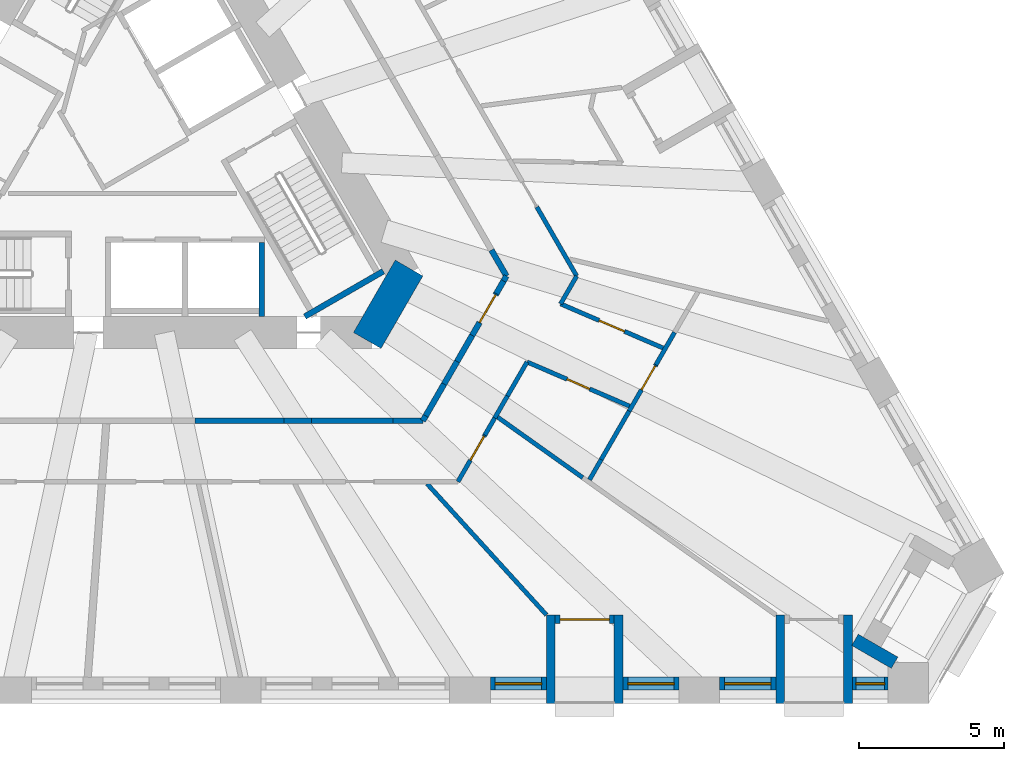
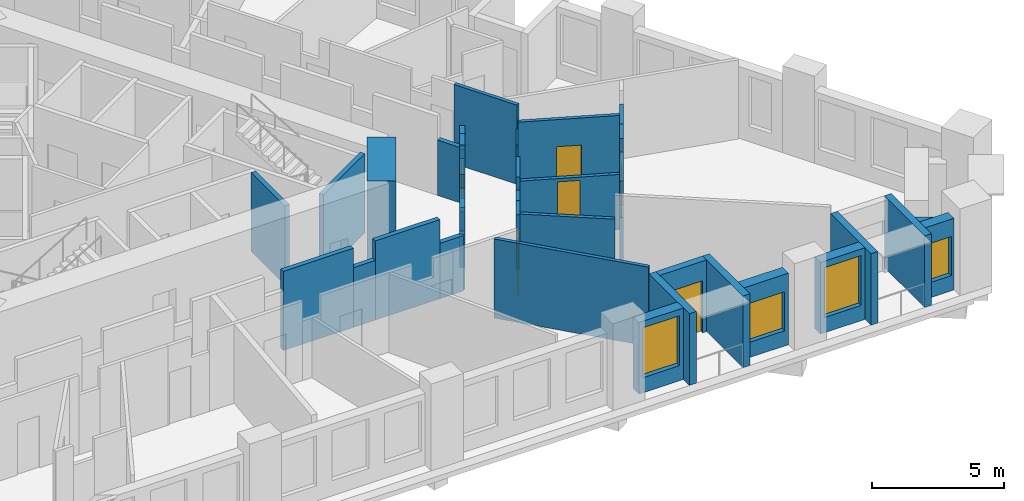
# One storey, part 6 of 14: 39 walls, 6 doors, 4 windows, 10 openings.
"""IFC4 building model written with IfcOpenShell, lengths in metres."""

from ifc_helpers import new_model, si_unit, direction, frame, frame_2d, origin, place, context, subcontext, project, spatial, polyline, rectangle, outline, extrude, material, layer, layer_set, type_object, element, fill, save


model = new_model("IFC4")

# Units and contexts
model_context = context("Model", 3, precision=1e-05, world=origin(), true_north=direction((0.0, 1.0)))
body_context = subcontext(model_context, "Body", "Model", "MODEL_VIEW")
ifc_project = project(units=[si_unit("LENGTHUNIT", "METRE"), si_unit("AREAUNIT", "SQUARE_METRE"), si_unit("VOLUMEUNIT", "CUBIC_METRE"), si_unit("PLANEANGLEUNIT", "RADIAN"), si_unit("MASSUNIT", "GRAM", prefix="KILO")], contexts=[model_context])

# Site, building, storey
site_placement = place(None, origin())
site = spatial("IfcSite", under=ifc_project, at=site_placement, CompositionType="ELEMENT")
building_placement = place(site_placement, origin())
building = spatial("IfcBuilding", under=site, at=building_placement, Name="Tramontana Tower", CompositionType="ELEMENT")
storey_placement = place(building_placement, frame((0.0, 0.0, 30.0)))
storey = spatial("IfcBuildingStorey", under=building, at=storey_placement, Name="L05", CompositionType="ELEMENT", Elevation=30.0)

# Walls
ifc_material_1 = material(Name="Concrete 70 MPa", Category="concrete")
ifc_layer_1 = layer(ifc_material_1, 1.10009765625)
ifc_layer_set_1 = layer_set([ifc_layer_1], Name="Core wall 1100 70 MPa")
wall_type_1 = type_object("IfcWallType", Name="Core wall 1100 70 MPa", PredefinedType="SHEAR", material=ifc_layer_set_1)
wall_1_placement = place(storey_placement, frame((8.328369140625, -6.47509765625, 0.0), z_axis=(0.0, 0.0, 1.0), x_axis=(0.499995765644, 0.866027848477, 0.0)))
element("IfcWall", 1, at=wall_1_placement, inside=storey, type_object=wall_type_1, Name="Core wall C4 L05", PredefinedType="SHEAR", context=body_context, shape_type="SweptSolid", body=[
    extrude(rectangle(XDim=2.88671875, YDim=1.10009765625, at=frame_2d((1.443359375, 0.0))), origin(), (0.0, 0.0, 1.0), 4.0),
])
ifc_material_2 = material(Name="Blockwork", Category="masonry")
ifc_layer_2 = layer(ifc_material_2, 0.199951171875)
ifc_layer_set_2 = layer_set([ifc_layer_2], Name="ENTRY WALL 200")
wall_type_2 = type_object("IfcWallType", Name="ENTRY WALL 200", PredefinedType="SOLIDWALL", material=ifc_layer_set_2)
wall_2_placement = place(storey_placement, frame((12.616943359375, -3.353515625, 0.0), z_axis=(0.0, 0.0, 1.0), x_axis=(0.500171514983, -0.865926356915, 0.0)))
element("IfcWall", 2, at=wall_2_placement, inside=storey, type_object=wall_type_2, Name="Wall v01-ew0-10", PredefinedType="SOLIDWALL", context=body_context, shape_type="SweptSolid", body=[
    extrude(rectangle(XDim=1.035400390625, YDim=0.199951171875, at=frame_2d((0.517578125, 0.0))), origin(), (0.0, 0.0, 1.0), 2.550048828125),
])
wall_3_placement = place(storey_placement, frame((13.134765625, -4.25, 0.0), z_axis=(0.0, 0.0, 1.0), x_axis=(-0.499865263774, -0.866103179807, 0.0)))
element("IfcWall", 3, at=wall_3_placement, inside=storey, type_object=wall_type_2, Name="Wall v01-ew1-0", PredefinedType="SOLIDWALL", context=body_context, shape_type="SweptSolid", body=[
    extrude(rectangle(XDim=0.197265625, YDim=0.199951171875, at=frame_2d((0.0986328125, 0.0))), origin(), (0.0, 0.0, 1.0), 2.550048828125),
])
wall_4_placement = place(storey_placement, frame((13.0361328125, -4.4208984375, 0.0), z_axis=(0.0, 0.0, 1.0), x_axis=(-0.499931517724, -0.866064938435, 0.0)))
element("IfcWall", 4, at=wall_4_placement, inside=storey, type_object=wall_type_2, Name="Wall v01-ew1-1", PredefinedType="SOLIDWALL", context=body_context, shape_type="SweptSolid", body=[
    extrude(rectangle(XDim=0.50537109375, YDim=0.199951171875, at=frame_2d((0.252685546875, 0.0))), origin(), (0.0, 0.0, 1.0), 3.64990234375),
])

# Wall, opening, door
wall_5_placement = place(storey_placement, frame((11.951416015625, -6.29931640625, 0.0), z_axis=(0.0, 0.0, 1.0), x_axis=(0.50011622646, 0.865958290007, 0.0)))
wall_5 = element("IfcWall", 5, at=wall_5_placement, inside=storey, type_object=wall_type_2, Name="Wall v01-ew1-2", PredefinedType="SOLIDWALL", context=body_context, shape_type="SweptSolid", body=[
    extrude(outline(polyline([(0.0, 0.0), (1.66357421875, 0.0), (1.663818359375, 3.64990234375), (0.90234375, 3.64990234375), (0.90234375, 2.550048828125), (0.0, 2.550048828125), (0.0, 0.0)])), frame((0.0, 0.10009765625, 0.0), z_axis=(0.0, -1.0, 0.0), x_axis=(1.0, 0.0, 0.0)), (0.0, 0.0, 1.0), 0.199951171875),
])
opening_1_placement = place(wall_5_placement, frame((0.513671875, 0.0, 0.0)))
opening_1 = element("IfcOpeningElement", 6, at=opening_1_placement, cuts=wall_5, Name="Opening B0B-36", PredefinedType="OPENING", context=body_context, shape_type="SweptSolid", body=[
    extrude(rectangle(XDim=1.10009765625, YDim=2.39990234375, at=frame_2d((0.550048828125, 1.199951171875))), frame((0.0, 0.10986328125, 0.0), z_axis=(0.0, -1.0, 0.0), x_axis=(1.0, 0.0, 0.0)), (0.0, 0.0, 1.0), 0.219970703125),
])
ifc_material_3 = material(Name="Painted timber", Category="wood")
door_type_1 = type_object("IfcDoorType", Name="DOOR ENTRY 1100", OperationType="SINGLE_SWING_LEFT", PredefinedType="DOOR", material=ifc_material_3)
door_1_placement = place(opening_1_placement, origin())
door_1 = element("IfcDoor", 7, at=door_1_placement, inside=storey, type_object=door_type_1, Name="Door B0B-36", OperationType="SINGLE_SWING_RIGHT", OverallHeight=2.39990234375, OverallWidth=1.10009765625, PredefinedType="DOOR", context=body_context, shape_type="SweptSolid", body=[
    extrude(rectangle(XDim=1.10009765625, YDim=2.39990234375, at=frame_2d((0.550048828125, 1.199951171875))), frame((0.0, 0.02490234375, 0.0), z_axis=(0.0, -1.0, 0.0), x_axis=(1.0, 0.0, 0.0)), (0.0, 0.0, 1.0), 0.050048828125),
])
fill(opening_1, door_1)

# Walls
wall_6_placement = place(storey_placement, frame((11.951416015625, -6.29931640625, 0.0), z_axis=(0.0, 0.0, 1.0), x_axis=(-0.499898446243, -0.866084027935, 0.0)))
element("IfcWall", 8, at=wall_6_placement, inside=storey, type_object=wall_type_2, Name="Wall v01-ew1-3", PredefinedType="SOLIDWALL", context=body_context, shape_type="SweptSolid", body=[
    extrude(rectangle(XDim=1.040771484375, YDim=0.199951171875, at=frame_2d((0.5205078125, 0.0))), origin(), (0.0, 0.0, 1.0), 3.64990234375),
])
wall_7_placement = place(storey_placement, frame((11.43115234375, -7.20068359375, 0.0), z_axis=(0.0, 0.0, 1.0), x_axis=(-0.500097243556, -0.865969252911, 0.0)))
element("IfcWall", 9, at=wall_7_placement, inside=storey, type_object=wall_type_2, Name="Wall v01-ew1-4", PredefinedType="SOLIDWALL", context=body_context, shape_type="SweptSolid", body=[
    extrude(rectangle(XDim=0.902099609375, YDim=0.199951171875, at=frame_2d((0.451171875, 0.0))), origin(), (0.0, 0.0, 1.0), 2.550048828125),
])
wall_8_placement = place(storey_placement, frame((10.97998046875, -7.98193359375, 0.0), z_axis=(0.0, 0.0, 1.0), x_axis=(-0.499911523785, -0.866076479525, 0.0)))
element("IfcWall", 10, at=wall_8_placement, inside=storey, type_object=wall_type_2, Name="Wall v01-ew1-5", PredefinedType="SOLIDWALL", context=body_context, shape_type="SweptSolid", body=[
    extrude(rectangle(XDim=1.266845703125, YDim=0.199951171875, at=frame_2d((0.63330078125, 0.0))), origin(), (0.0, 0.0, 1.0), 3.64990234375),
])
wall_9_placement = place(storey_placement, frame((10.3466796875, -9.0791015625, 0.0), z_axis=(0.0, 0.0, 1.0), x_axis=(-0.499865263774, -0.866103179807, 0.0)))
element("IfcWall", 11, at=wall_9_placement, inside=storey, type_object=wall_type_2, Name="Wall v01-ew1-6", PredefinedType="SOLIDWALL", context=body_context, shape_type="SweptSolid", body=[
    extrude(rectangle(XDim=0.197265625, YDim=0.199951171875, at=frame_2d((0.0986328125, 0.0))), origin(), (0.0, 0.0, 1.0), 2.550048828125),
])
wall_10_placement = place(storey_placement, frame((10.248046875, -9.25, 0.0), z_axis=(0.0, 0.0, 1.0), x_axis=(-1.0, 0.0, 0.0)))
element("IfcWall", 12, at=wall_10_placement, inside=storey, type_object=wall_type_2, Name="Wall v01-ew2-0", PredefinedType="SOLIDWALL", context=body_context, shape_type="SweptSolid", body=[
    extrude(rectangle(XDim=1.035400390625, YDim=0.199951171875, at=frame_2d((0.517578125, 0.0))), origin(), (0.0, 0.0, 1.0), 2.550048828125),
])
wall_11_placement = place(storey_placement, frame((9.212646484375, -9.25, 0.0), z_axis=(0.0, 0.0, 1.0), x_axis=(-1.0, 0.0, 0.0)))
element("IfcWall", 13, at=wall_11_placement, inside=storey, type_object=wall_type_2, Name="Wall v01-ew2-1", PredefinedType="SOLIDWALL", context=body_context, shape_type="SweptSolid", body=[
    extrude(rectangle(XDim=2.815185546875, YDim=0.199951171875, at=frame_2d((1.40771484375, 0.0))), origin(), (0.0, 0.0, 1.0), 3.64990234375),
])
wall_12_placement = place(storey_placement, frame((6.3974609375, -9.25, 0.0), z_axis=(0.0, 0.0, 1.0), x_axis=(-1.0, 0.0, 0.0)))
element("IfcWall", 14, at=wall_12_placement, inside=storey, type_object=wall_type_2, Name="Wall v01-ew2-2", PredefinedType="SOLIDWALL", context=body_context, shape_type="SweptSolid", body=[
    extrude(rectangle(XDim=0.949951171875, YDim=0.199951171875, at=frame_2d((0.47509765625, 0.0))), origin(), (0.0, 0.0, 1.0), 2.75),
])
wall_13_placement = place(storey_placement, frame((5.447509765625, -9.25, 0.0), z_axis=(0.0, 0.0, 1.0), x_axis=(-1.0, 0.0, 0.0)))
element("IfcWall", 15, at=wall_13_placement, inside=storey, type_object=wall_type_2, Name="Wall v01-ew2-3", PredefinedType="SOLIDWALL", context=body_context, shape_type="SweptSolid", body=[
    extrude(rectangle(XDim=3.064453125, YDim=0.199951171875, at=frame_2d((1.5322265625, 0.0))), origin(), (0.0, 0.0, 1.0), 3.64990234375),
])

# Wall, opening, window
ifc_material_4 = material(Name="Precast concrete 60 MPa", Category="concrete")
ifc_layer_3 = layer(ifc_material_4, 0.449951171875)
ifc_layer_set_3 = layer_set([ifc_layer_3], Name="Precast concrete 60 MPa, 450 mm")
wall_type_3 = type_object("IfcWallType", Name="EW1 Stone-faced precast wall 450", PredefinedType="SOLIDWALL", material=ifc_layer_set_3)
wall_14_placement = place(storey_placement, frame((12.576904296875, -18.324951171875, 0.0), z_axis=(0.0, 0.0, 1.0), x_axis=(1.0, 0.0, 0.0)))
wall_14 = element("IfcWall", 16, at=wall_14_placement, inside=storey, type_object=wall_type_3, Name="External wall L05 face 1 bay 6", PredefinedType="SOLIDWALL", context=body_context, shape_type="SweptSolid", body=[
    extrude(rectangle(XDim=1.939208984375, YDim=0.449951171875, at=frame_2d((0.9697265625, 0.0))), origin(), (0.0, 0.0, 1.0), 3.300048828125),
])
opening_2_placement = place(wall_14_placement, frame((0.169677734375, 0.0, 0.699951171875)))
opening_2 = element("IfcOpeningElement", 17, at=opening_2_placement, cuts=wall_14, Name="Opening M1", PredefinedType="OPENING", context=body_context, shape_type="SweptSolid", body=[
    extrude(rectangle(XDim=1.60009765625, YDim=2.300048828125, at=frame_2d((0.800048828125, 1.14990234375))), frame((0.0, 0.23486328125, 0.0), z_axis=(0.0, -1.0, 0.0), x_axis=(1.0, 0.0, 0.0)), (0.0, 0.0, 1.0), 0.469970703125),
])
ifc_material_5 = material(Name="Aluminum frame, double glazing unit", Category="aluminium")
window_type_1 = type_object("IfcWindowType", Name="M1 Window 1.6 x 2.3", PartitioningType="SINGLE_PANEL", PredefinedType="WINDOW", material=ifc_material_5)
window_1_placement = place(opening_2_placement, origin())
window_1 = element("IfcWindow", 18, at=window_1_placement, inside=storey, type_object=window_type_1, Name="Window M1 L05 face 1 module 16", OverallHeight=2.300048828125, OverallWidth=1.60009765625, PartitioningType="SINGLE_PANEL", PredefinedType="WINDOW", context=body_context, shape_type="SweptSolid", body=[
    extrude(rectangle(XDim=1.60009765625, YDim=2.300048828125, at=frame_2d((0.800048828125, 1.14990234375))), frame((0.0, 0.030029296875, 0.0), z_axis=(0.0, -1.0, 0.0), x_axis=(1.0, 0.0, 0.0)), (0.0, 0.0, 1.0), 0.06005859375),
])
fill(opening_2, window_1)

wall_15_placement = place(storey_placement, frame((17.155517578125, -18.324951171875, 0.0), z_axis=(0.0, 0.0, 1.0), x_axis=(1.0, 0.0, 0.0)))
wall_15 = element("IfcWall", 19, at=wall_15_placement, inside=storey, type_object=wall_type_3, Name="External wall L05 face 1 bay 6", PredefinedType="SOLIDWALL", context=body_context, shape_type="SweptSolid", body=[
    extrude(rectangle(XDim=1.939453125, YDim=0.449951171875, at=frame_2d((0.9697265625, 0.0))), origin(), (0.0, 0.0, 1.0), 3.300048828125),
])
opening_3_placement = place(wall_15_placement, frame((0.169677734375, 0.0, 0.699951171875)))
opening_3 = element("IfcOpeningElement", 20, at=opening_3_placement, cuts=wall_15, Name="Opening M1L", PredefinedType="OPENING", context=body_context, shape_type="SweptSolid", body=[
    extrude(rectangle(XDim=1.60009765625, YDim=1.800048828125, at=frame_2d((0.800048828125, 0.89990234375))), frame((0.0, 0.23486328125, 0.0), z_axis=(0.0, -1.0, 0.0), x_axis=(1.0, 0.0, 0.0)), (0.0, 0.0, 1.0), 0.469970703125),
])
ifc_material_6 = material(Name="Aluminum frame, double glazing unit", Category="aluminium")
window_type_2 = type_object("IfcWindowType", Name="M1L Window 1.6 x 1.8", PartitioningType="SINGLE_PANEL", PredefinedType="WINDOW", material=ifc_material_6)
window_2_placement = place(opening_3_placement, origin())
window_2 = element("IfcWindow", 21, at=window_2_placement, inside=storey, type_object=window_type_2, Name="Window M1L L05 face 1 module 18", OverallHeight=1.800048828125, OverallWidth=1.60009765625, PartitioningType="SINGLE_PANEL", PredefinedType="WINDOW", context=body_context, shape_type="SweptSolid", body=[
    extrude(rectangle(XDim=1.60009765625, YDim=1.800048828125, at=frame_2d((0.800048828125, 0.89990234375))), frame((0.0, 0.030029296875, 0.0), z_axis=(0.0, -1.0, 0.0), x_axis=(1.0, 0.0, 0.0)), (0.0, 0.0, 1.0), 0.06005859375),
])
fill(opening_3, window_2)

wall_16_placement = place(storey_placement, frame((20.494873046875, -18.324951171875, 0.0), z_axis=(0.0, 0.0, 1.0), x_axis=(1.0, 0.0, 0.0)))
wall_16 = element("IfcWall", 22, at=wall_16_placement, inside=storey, type_object=wall_type_3, Name="External wall L05 face 1 bay 7", PredefinedType="SOLIDWALL", context=body_context, shape_type="SweptSolid", body=[
    extrude(rectangle(XDim=1.939208984375, YDim=0.449951171875, at=frame_2d((0.9697265625, 0.0))), origin(), (0.0, 0.0, 1.0), 3.300048828125),
])
opening_4_placement = place(wall_16_placement, frame((0.169677734375, 0.0, 0.699951171875)))
opening_4 = element("IfcOpeningElement", 23, at=opening_4_placement, cuts=wall_16, Name="Opening M1", PredefinedType="OPENING", context=body_context, shape_type="SweptSolid", body=[
    extrude(rectangle(XDim=1.60009765625, YDim=2.300048828125, at=frame_2d((0.800048828125, 1.14990234375))), frame((0.0, 0.23486328125, 0.0), z_axis=(0.0, -1.0, 0.0), x_axis=(1.0, 0.0, 0.0)), (0.0, 0.0, 1.0), 0.469970703125),
])
window_3_placement = place(opening_4_placement, origin())
window_3 = element("IfcWindow", 24, at=window_3_placement, inside=storey, type_object=window_type_1, Name="Window M1 L05 face 1 module 19", OverallHeight=2.300048828125, OverallWidth=1.60009765625, PartitioningType="SINGLE_PANEL", PredefinedType="WINDOW", context=body_context, shape_type="SweptSolid", body=[
    extrude(rectangle(XDim=1.60009765625, YDim=2.300048828125, at=frame_2d((0.800048828125, 1.14990234375))), frame((0.0, 0.030029296875, 0.0), z_axis=(0.0, -1.0, 0.0), x_axis=(1.0, 0.0, 0.0)), (0.0, 0.0, 1.0), 0.06005859375),
])
fill(opening_4, window_3)

wall_17_placement = place(storey_placement, frame((25.073486328125, -18.324951171875, 0.0), z_axis=(0.0, 0.0, 1.0), x_axis=(1.0, 0.0, 0.0)))
wall_17 = element("IfcWall", 25, at=wall_17_placement, inside=storey, type_object=wall_type_3, Name="External wall L05 face 1 bay 7", PredefinedType="SOLIDWALL", context=body_context, shape_type="SweptSolid", body=[
    extrude(rectangle(XDim=1.2392578125, YDim=0.449951171875, at=frame_2d((0.61962890625, 0.0))), origin(), (0.0, 0.0, 1.0), 3.300048828125),
])
opening_5_placement = place(wall_17_placement, frame((0.11962890625, 0.0, 0.699951171875)))
opening_5 = element("IfcOpeningElement", 26, at=opening_5_placement, cuts=wall_17, Name="Opening N1L", PredefinedType="OPENING", context=body_context, shape_type="SweptSolid", body=[
    extrude(rectangle(XDim=1.0, YDim=1.800048828125, at=frame_2d((0.5, 0.89990234375))), frame((0.0, 0.23486328125, 0.0), z_axis=(0.0, -1.0, 0.0), x_axis=(1.0, 0.0, 0.0)), (0.0, 0.0, 1.0), 0.469970703125),
])
ifc_material_7 = material(Name="Aluminum frame, double glazing unit", Category="aluminium")
window_type_3 = type_object("IfcWindowType", Name="N1L Window 1 x 1.8", PartitioningType="SINGLE_PANEL", PredefinedType="WINDOW", material=ifc_material_7)
window_4_placement = place(opening_5_placement, origin())
window_4 = element("IfcWindow", 27, at=window_4_placement, inside=storey, type_object=window_type_3, Name="Window N1L L05 face 1 module 21", OverallHeight=1.800048828125, OverallWidth=1.0, PartitioningType="SINGLE_PANEL", PredefinedType="WINDOW", context=body_context, shape_type="SweptSolid", body=[
    extrude(rectangle(XDim=1.0, YDim=1.800048828125, at=frame_2d((0.5, 0.89990234375))), frame((0.0, 0.030029296875, 0.0), z_axis=(0.0, -1.0, 0.0), x_axis=(1.0, 0.0, 0.0)), (0.0, 0.0, 1.0), 0.06005859375),
])
fill(opening_5, window_4)

# Wall
wall_18_placement = place(storey_placement, frame((26.5341796875, -17.60009765625, 0.0), z_axis=(0.0, 0.0, 1.0), x_axis=(-0.86597962928, 0.500079275387, 0.0)))
element("IfcWall", 28, at=wall_18_placement, inside=storey, type_object=wall_type_3, Name="Corner loggia side wall L05 K02r", PredefinedType="SOLIDWALL", context=body_context, shape_type="SweptSolid", body=[
    extrude(rectangle(XDim=1.579345703125, YDim=0.449951171875, at=frame_2d((0.78955078125, 0.0))), origin(), (0.0, 0.0, 1.0), 2.550048828125),
])

# Wall, opening, door
ifc_material_8 = material(Name="Precast concrete 60 MPa", Category="concrete")
ifc_layer_4 = layer(ifc_material_8, 0.300048828125)
ifc_layer_set_4 = layer_set([ifc_layer_4], Name="LW1 Stone-faced loggia wall 300")
wall_type_4 = type_object("IfcWallType", Name="LW1 Stone-faced loggia wall 300", PredefinedType="SOLIDWALL", material=ifc_layer_set_4)
wall_19_placement = place(storey_placement, frame((14.816162109375, -16.10009765625, 0.0), z_axis=(0.0, 0.0, 1.0), x_axis=(1.0, 0.0, 0.0)))
wall_19 = element("IfcWall", 29, at=wall_19_placement, inside=storey, type_object=wall_type_4, Name="Loggia wall L05 G0S1.16", PredefinedType="SOLIDWALL", context=body_context, shape_type="SweptSolid", body=[
    extrude(rectangle(XDim=2.039306640625, YDim=0.300048828125, at=frame_2d((1.01953125, 0.0))), origin(), (0.0, 0.0, 1.0), 3.300048828125),
])
opening_6_placement = place(wall_19_placement, frame((0.169677734375, 0.0, 0.0)))
opening_6 = element("IfcOpeningElement", 30, at=opening_6_placement, cuts=wall_19, Name="Opening BD-0S1-16", PredefinedType="OPENING", context=body_context, shape_type="SweptSolid", body=[
    extrude(rectangle(XDim=1.699951171875, YDim=2.39990234375, at=frame_2d((0.85009765625, 1.199951171875))), frame((0.0, 0.159912109375, 0.0), z_axis=(0.0, -1.0, 0.0), x_axis=(1.0, 0.0, 0.0)), (0.0, 0.0, 1.0), 0.320068359375),
])
ifc_material_9 = material(Name="Aluminum frame, double glazing unit", Category="aluminium")
door_type_2 = type_object("IfcDoorType", Name="BD1 Sliding door 1.7 x 2.4", OperationType="SLIDING_TO_LEFT", PredefinedType="DOOR", material=ifc_material_9)
door_2_placement = place(opening_6_placement, origin())
door_2 = element("IfcDoor", 31, at=door_2_placement, inside=storey, type_object=door_type_2, Name="Loggia door L05 G0S1.16", OperationType="SLIDING_TO_LEFT", OverallHeight=2.39990234375, OverallWidth=1.699951171875, PredefinedType="DOOR", context=body_context, shape_type="SweptSolid", body=[
    extrude(rectangle(XDim=1.699951171875, YDim=2.39990234375, at=frame_2d((0.85009765625, 1.199951171875))), frame((0.0, 0.02490234375, 0.0), z_axis=(0.0, -1.0, 0.0), x_axis=(1.0, 0.0, 0.0)), (0.0, 0.0, 1.0), 0.050048828125),
])
fill(opening_6, door_2)

# Walls
for number, where, z_axis, x_axis, name in (
    (32, (14.666259765625, -19.0, 0.0), (0.0, 0.0, 1.0), (0.0, 1.0, 0.0), "Loggia return L05 G0S1.16a"),
    (33, (17.005615234375, -19.0, 0.0), (0.0, 0.0, 1.0), (0.0, 1.0, 0.0), "Loggia return L05 G0S1.16b"),
    (34, (22.584228515625, -19.0, 0.0), (0.0, 0.0, 1.0), (0.0, 1.0, 0.0), "Loggia return L05 G0S1.19a"),
    (35, (24.923583984375, -19.0, 0.0), (0.0, 0.0, 1.0), (0.0, 1.0, 0.0), "Loggia return L05 G0S1.19b"),
):
    element("IfcWall", number, at=place(storey_placement, frame(where, z_axis=z_axis, x_axis=x_axis)), inside=storey, type_object=wall_type_4, Name=name, PredefinedType="SOLIDWALL", context=body_context, shape_type="SweptSolid", body=[
        extrude(rectangle(XDim=3.050048828125, YDim=0.300048828125, at=frame_2d((1.52490234375, 0.0))), origin(), (0.0, 0.0, 1.0), 3.300048828125),
    ])
ifc_material_10 = material(Name="Gypsum board partition")
ifc_layer_5 = layer(ifc_material_10, 0.14990234375)
ifc_layer_set_5 = layer_set([ifc_layer_5], Name="PARTITION 150")
wall_type_5 = type_object("IfcWallType", Name="PARTITION 150", PredefinedType="PARTITIONING", material=ifc_layer_set_5)
wall_20_placement = place(storey_placement, frame((14.18408203125, -1.86767578125, 0.0), z_axis=(0.0, 0.0, 1.0), x_axis=(0.500014382217, -0.866017100048, 0.0)))
element("IfcWall", 36, at=wall_20_placement, inside=storey, type_object=wall_type_5, Name="Wall v01-pw35-8", PredefinedType="PARTITIONING", context=body_context, shape_type="SweptSolid", body=[
    extrude(rectangle(XDim=2.7509765625, YDim=0.14990234375, at=frame_2d((1.37548828125, 0.0))), origin(), (0.0, 0.0, 1.0), 3.64990234375),
])
wall_21_placement = place(storey_placement, frame((13.84619140625, -7.217529296875, 0.0), z_axis=(0.0, 0.0, 1.0), x_axis=(-0.499971721724, -0.866041729639, 0.0)))
element("IfcWall", 37, at=wall_21_placement, inside=storey, type_object=wall_type_5, Name="Wall v01-pw48-0", PredefinedType="PARTITIONING", context=body_context, shape_type="SweptSolid", body=[
    extrude(rectangle(XDim=1.3564453125, YDim=0.14990234375, at=frame_2d((0.67822265625, 0.0))), origin(), (0.0, 0.0, 1.0), 3.64990234375),
])
wall_22_placement = place(storey_placement, frame((13.16796875, -8.392333984375, 0.0), z_axis=(0.0, 0.0, 1.0), x_axis=(-0.499850947872, -0.86611144197, 0.0)))
element("IfcWall", 38, at=wall_22_placement, inside=storey, type_object=wall_type_5, Name="Wall v01-pw48-1", PredefinedType="PARTITIONING", context=body_context, shape_type="SweptSolid", body=[
    extrude(rectangle(XDim=0.877197265625, YDim=0.14990234375, at=frame_2d((0.4384765625, 0.0))), origin(), (0.0, 0.0, 1.0), 2.550048828125),
])
wall_23_placement = place(storey_placement, frame((12.7294921875, -9.152099609375, 0.0), z_axis=(0.0, 0.0, 1.0), x_axis=(-0.500187988959, -0.865916841101, 0.0)))
element("IfcWall", 39, at=wall_23_placement, inside=storey, type_object=wall_type_5, Name="Wall v01-pw48-2", PredefinedType="PARTITIONING", context=body_context, shape_type="SweptSolid", body=[
    extrude(rectangle(XDim=0.680908203125, YDim=0.14990234375, at=frame_2d((0.34033203125, 0.0))), origin(), (0.0, 0.0, 1.0), 3.64990234375),
])

# Wall, opening, door
wall_24_placement = place(storey_placement, frame((12.388916015625, -9.74169921875, 0.0), z_axis=(0.0, 0.0, 1.0), x_axis=(-0.499942461466, -0.866058621124, 0.0)))
wall_24 = element("IfcWall", 40, at=wall_24_placement, inside=storey, type_object=wall_type_5, Name="Wall v01-pw48-3", PredefinedType="PARTITIONING", context=body_context, shape_type="SweptSolid", body=[
    extrude(outline(polyline([(0.0, 0.0), (1.857177734375, 0.0), (1.857177734375, 2.550048828125), (0.95068359375, 2.550048828125), (0.95068359375, 3.64990234375), (0.0, 3.64990234375), (0.0, 0.0)])), frame((0.0, 0.074951171875, 0.0), z_axis=(0.0, -1.0, 0.0), x_axis=(1.0, 0.0, 0.0)), (0.0, 0.0, 1.0), 0.14990234375),
])
opening_7_placement = place(wall_24_placement, frame((0.050048828125, 0.0, 0.0)))
opening_7 = element("IfcOpeningElement", 41, at=opening_7_placement, cuts=wall_24, Name="Opening B0B-26", PredefinedType="OPENING", context=body_context, shape_type="SweptSolid", body=[
    extrude(rectangle(XDim=0.949951171875, YDim=2.39990234375, at=frame_2d((0.47509765625, 1.199951171875))), frame((0.0, 0.0849609375, 0.0), z_axis=(0.0, -1.0, 0.0), x_axis=(1.0, 0.0, 0.0)), (0.0, 0.0, 1.0), 0.169921875),
])
ifc_material_11 = material(Name="Painted timber", Category="wood")
door_type_3 = type_object("IfcDoorType", Name="DOOR ROOM 950", OperationType="SINGLE_SWING_LEFT", PredefinedType="DOOR", material=ifc_material_11)
door_3_placement = place(opening_7_placement, origin())
door_3 = element("IfcDoor", 42, at=door_3_placement, inside=storey, type_object=door_type_3, Name="Door B0B-26", OperationType="SINGLE_SWING_RIGHT", OverallHeight=2.39990234375, OverallWidth=0.949951171875, PredefinedType="DOOR", context=body_context, shape_type="SweptSolid", body=[
    extrude(rectangle(XDim=0.949951171875, YDim=2.39990234375, at=frame_2d((0.47509765625, 1.199951171875))), frame((0.0, 0.02490234375, 0.0), z_axis=(0.0, -1.0, 0.0), x_axis=(1.0, 0.0, 0.0)), (0.0, 0.0, 1.0), 0.050048828125),
])
fill(opening_7, door_3)

# Wall
wall_25_placement = place(storey_placement, frame((14.51611328125, -15.949951171875, 0.0), z_axis=(0.0, 0.0, 1.0), x_axis=(-0.673085803797, 0.73956439931, 0.0)))
element("IfcWall", 43, at=wall_25_placement, inside=storey, type_object=wall_type_5, Name="Wall v01-pw49", PredefinedType="PARTITIONING", context=body_context, shape_type="SweptSolid", body=[
    extrude(rectangle(XDim=6.118408203125, YDim=0.14990234375, at=frame_2d((3.05908203125, 0.0))), origin(), (0.0, 0.0, 1.0), 3.64990234375),
])

# Wall, opening, door
wall_26_placement = place(storey_placement, frame((15.004150390625, -5.2119140625, 0.0), z_axis=(0.0, 0.0, 1.0), x_axis=(0.918389227488, -0.395678185946, 0.0)))
wall_26 = element("IfcWall", 44, at=wall_26_placement, inside=storey, type_object=wall_type_5, Name="Wall v01-pw50", PredefinedType="PARTITIONING", context=body_context, shape_type="SweptSolid", body=[
    extrude(rectangle(XDim=3.851318359375, YDim=0.14990234375, at=frame_2d((1.92578125, 0.0))), origin(), (0.0, 0.0, 1.0), 3.64990234375),
])
opening_8_placement = place(wall_26_placement, frame((1.45068359375, 0.0, 0.0)))
opening_8 = element("IfcOpeningElement", 45, at=opening_8_placement, cuts=wall_26, Name="Opening B0B-23", PredefinedType="OPENING", context=body_context, shape_type="SweptSolid", body=[
    extrude(rectangle(XDim=0.949951171875, YDim=2.39990234375, at=frame_2d((0.47509765625, 1.199951171875))), frame((0.0, 0.0849609375, 0.0), z_axis=(0.0, -1.0, 0.0), x_axis=(1.0, 0.0, 0.0)), (0.0, 0.0, 1.0), 0.169921875),
])
door_4_placement = place(opening_8_placement, origin())
door_4 = element("IfcDoor", 46, at=door_4_placement, inside=storey, type_object=door_type_3, Name="Door B0B-23", OperationType="SINGLE_SWING_LEFT", OverallHeight=2.39990234375, OverallWidth=0.949951171875, PredefinedType="DOOR", context=body_context, shape_type="SweptSolid", body=[
    extrude(rectangle(XDim=0.949951171875, YDim=2.39990234375, at=frame_2d((0.47509765625, 1.199951171875))), frame((0.0, 0.02490234375, 0.0), z_axis=(0.0, -1.0, 0.0), x_axis=(1.0, 0.0, 0.0)), (0.0, 0.0, 1.0), 0.050048828125),
])
fill(opening_8, door_4)

# Wall
wall_27_placement = place(storey_placement, frame((15.5595703125, -4.25, 0.0), z_axis=(0.0, 0.0, 1.0), x_axis=(-0.500039553057, -0.866002566612, 0.0)))
element("IfcWall", 47, at=wall_27_placement, inside=storey, type_object=wall_type_5, Name="Wall v01-pw52-0", PredefinedType="PARTITIONING", context=body_context, shape_type="SweptSolid", body=[
    extrude(rectangle(XDim=1.11083984375, YDim=0.14990234375, at=frame_2d((0.555419921875, 0.0))), origin(), (0.0, 0.0, 1.0), 2.550048828125),
])

# Wall, opening, door
wall_28_placement = place(storey_placement, frame((17.38330078125, -8.7412109375, 0.0), z_axis=(0.0, 0.0, 1.0), x_axis=(-0.918412261458, 0.395624718647, 0.0)))
wall_28 = element("IfcWall", 48, at=wall_28_placement, inside=storey, type_object=wall_type_5, Name="Wall v01-pw56-0", PredefinedType="PARTITIONING", context=body_context, shape_type="SweptSolid", body=[
    extrude(rectangle(XDim=3.851318359375, YDim=0.14990234375, at=frame_2d((1.92578125, 0.0))), origin(), (0.0, 0.0, 1.0), 2.550048828125),
])
opening_9_placement = place(wall_28_placement, frame((1.500732421875, 0.0, 0.0)))
opening_9 = element("IfcOpeningElement", 49, at=opening_9_placement, cuts=wall_28, Name="Opening B0B-24", PredefinedType="OPENING", context=body_context, shape_type="SweptSolid", body=[
    extrude(rectangle(XDim=0.85009765625, YDim=2.39990234375, at=frame_2d((0.425048828125, 1.199951171875))), frame((0.0, 0.0849609375, 0.0), z_axis=(0.0, -1.0, 0.0), x_axis=(1.0, 0.0, 0.0)), (0.0, 0.0, 1.0), 0.169921875),
])
ifc_material_12 = material(Name="Painted timber", Category="wood")
door_type_4 = type_object("IfcDoorType", Name="DOOR BATH 850", OperationType="SINGLE_SWING_LEFT", PredefinedType="DOOR", material=ifc_material_12)
door_5_placement = place(opening_9_placement, origin())
door_5 = element("IfcDoor", 50, at=door_5_placement, inside=storey, type_object=door_type_4, Name="Door B0B-24", OperationType="SINGLE_SWING_RIGHT", OverallHeight=2.39990234375, OverallWidth=0.85009765625, PredefinedType="DOOR", context=body_context, shape_type="SweptSolid", body=[
    extrude(rectangle(XDim=0.85009765625, YDim=2.39990234375, at=frame_2d((0.425048828125, 1.199951171875))), frame((0.0, 0.02490234375, 0.0), z_axis=(0.0, -1.0, 0.0), x_axis=(1.0, 0.0, 0.0)), (0.0, 0.0, 1.0), 0.050048828125),
])
fill(opening_9, door_5)

# Wall
wall_29_placement = place(storey_placement, frame((18.93896484375, -6.196533203125, 0.0), z_axis=(0.0, 0.0, 1.0), x_axis=(-0.499924472688, -0.866069005107, 0.0)))
element("IfcWall", 51, at=wall_29_placement, inside=storey, type_object=wall_type_5, Name="Wall v01-pw57-2", PredefinedType="PARTITIONING", context=body_context, shape_type="SweptSolid", body=[
    extrude(rectangle(XDim=1.290283203125, YDim=0.14990234375, at=frame_2d((0.64501953125, 0.0))), origin(), (0.0, 0.0, 1.0), 3.64990234375),
])

# Wall, opening, door
wall_30_placement = place(storey_placement, frame((18.2939453125, -7.31396484375, 0.0), z_axis=(0.0, 0.0, 1.0), x_axis=(-0.499989263917, -0.866031602176, 0.0)))
wall_30 = element("IfcWall", 52, at=wall_30_placement, inside=storey, type_object=wall_type_5, Name="Wall v01-pw57-3", PredefinedType="PARTITIONING", context=body_context, shape_type="SweptSolid", body=[
    extrude(outline(polyline([(0.0, 0.0), (1.84814453125, 0.0), (1.848388671875, 2.550048828125), (0.97119140625, 2.550048828125), (0.97119140625, 3.64990234375), (0.0, 3.64990234375), (0.0, 0.0)])), frame((0.0, 0.074951171875, 0.0), z_axis=(0.0, -1.0, 0.0), x_axis=(1.0, 0.0, 0.0)), (0.0, 0.0, 1.0), 0.14990234375),
])
opening_10_placement = place(wall_30_placement, frame((0.050048828125, 0.0, 0.0)))
opening_10 = element("IfcOpeningElement", 53, at=opening_10_placement, cuts=wall_30, Name="Opening B0B-25", PredefinedType="OPENING", context=body_context, shape_type="SweptSolid", body=[
    extrude(rectangle(XDim=0.949951171875, YDim=2.39990234375, at=frame_2d((0.47509765625, 1.199951171875))), frame((0.0, 0.0849609375, 0.0), z_axis=(0.0, -1.0, 0.0), x_axis=(1.0, 0.0, 0.0)), (0.0, 0.0, 1.0), 0.169921875),
])
door_6_placement = place(opening_10_placement, origin())
door_6 = element("IfcDoor", 54, at=door_6_placement, inside=storey, type_object=door_type_3, Name="Door B0B-25", OperationType="SINGLE_SWING_LEFT", OverallHeight=2.39990234375, OverallWidth=0.949951171875, PredefinedType="DOOR", context=body_context, shape_type="SweptSolid", body=[
    extrude(rectangle(XDim=0.949951171875, YDim=2.39990234375, at=frame_2d((0.47509765625, 1.199951171875))), frame((0.0, 0.02490234375, 0.0), z_axis=(0.0, -1.0, 0.0), x_axis=(1.0, 0.0, 0.0)), (0.0, 0.0, 1.0), 0.050048828125),
])
fill(opening_10, door_6)

# Walls
wall_31_placement = place(storey_placement, frame((17.369873046875, -8.91455078125, 0.0), z_axis=(0.0, 0.0, 1.0), x_axis=(-0.499963437846, -0.866046511925, 0.0)))
element("IfcWall", 55, at=wall_31_placement, inside=storey, type_object=wall_type_5, Name="Wall v01-pw57-4", PredefinedType="PARTITIONING", context=body_context, shape_type="SweptSolid", body=[
    extrude(rectangle(XDim=1.929443359375, YDim=0.14990234375, at=frame_2d((0.96484375, 0.0))), origin(), (0.0, 0.0, 1.0), 3.64990234375),
])
wall_32_placement = place(storey_placement, frame((16.4052734375, -10.58544921875, 0.0), z_axis=(0.0, 0.0, 1.0), x_axis=(-0.500106313205, -0.865964015126, 0.0)))
element("IfcWall", 56, at=wall_32_placement, inside=storey, type_object=wall_type_5, Name="Wall v01-pw57-5", PredefinedType="PARTITIONING", context=body_context, shape_type="SweptSolid", body=[
    extrude(rectangle(XDim=0.807373046875, YDim=0.14990234375, at=frame_2d((0.40380859375, 0.0))), origin(), (0.0, 0.0, 1.0), 2.550048828125),
])
wall_33_placement = place(storey_placement, frame((15.7685546875, -11.2109375, 0.0), z_axis=(0.0, 0.0, 1.0), x_axis=(-0.815013644816, 0.579441764774, 0.0)))
element("IfcWall", 57, at=wall_33_placement, inside=storey, type_object=wall_type_5, Name="Wall v01-pw58-1", PredefinedType="PARTITIONING", context=body_context, shape_type="SweptSolid", body=[
    extrude(rectangle(XDim=3.6025390625, YDim=0.14990234375, at=frame_2d((1.80126953125, 0.0))), origin(), (0.0, 0.0, 1.0), 2.550048828125),
])
ifc_material_13 = material(Name="Concrete 70 MPa", Category="concrete")
ifc_layer_6 = layer(ifc_material_13, 0.199951171875)
ifc_layer_set_6 = layer_set([ifc_layer_6], Name="Concrete 70 MPa, 200 mm")
wall_type_6 = type_object("IfcWallType", Name="RC STAIR AND SHAFT WALL 200", PredefinedType="SOLIDWALL", material=ifc_layer_set_6)
wall_34_placement = place(storey_placement, frame((6.173828125, -5.64990234375, 0.0), z_axis=(0.0, 0.0, 1.0), x_axis=(0.866054327916, 0.499949898588, 0.0)))
element("IfcWall", 58, at=wall_34_placement, inside=storey, type_object=wall_type_6, Name="Wall st3-far", PredefinedType="SOLIDWALL", context=body_context, shape_type="SweptSolid", body=[
    extrude(rectangle(XDim=3.128173828125, YDim=0.199951171875, at=frame_2d((1.56396484375, 0.0))), origin(), (0.0, 0.0, 1.0), 3.64990234375),
])
wall_35_placement = place(storey_placement, frame((4.68994140625, -3.10009765625, 0.0), z_axis=(0.0, 0.0, 1.0), x_axis=(0.0, -1.0, 0.0)))
element("IfcWall", 59, at=wall_35_placement, inside=storey, type_object=wall_type_6, Name="Wall row1-side2", PredefinedType="SOLIDWALL", context=body_context, shape_type="SweptSolid", body=[
    extrude(rectangle(XDim=2.5498046875, YDim=0.199951171875, at=frame_2d((1.27490234375, 0.0))), origin(), (0.0, 0.0, 1.0), 3.64990234375),
])

save(model, "model.ifc")
